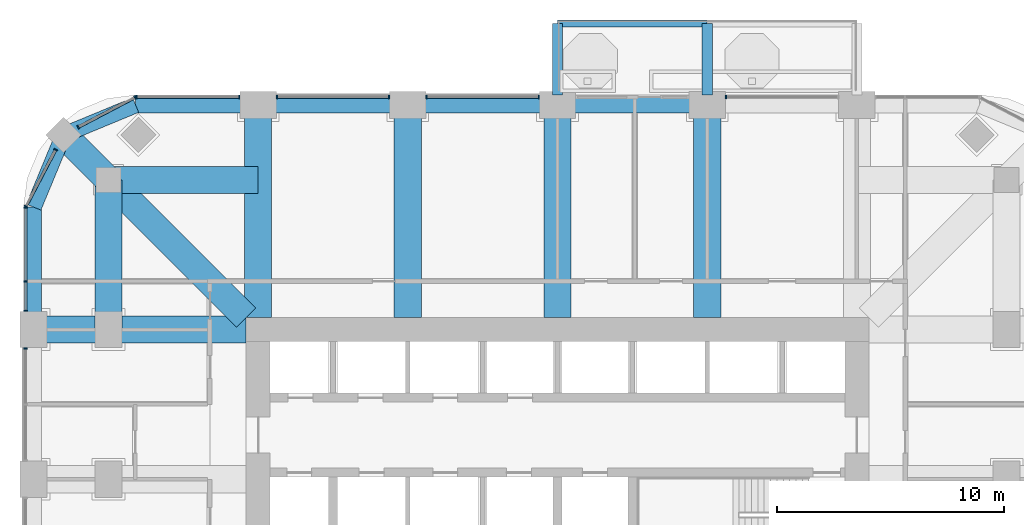
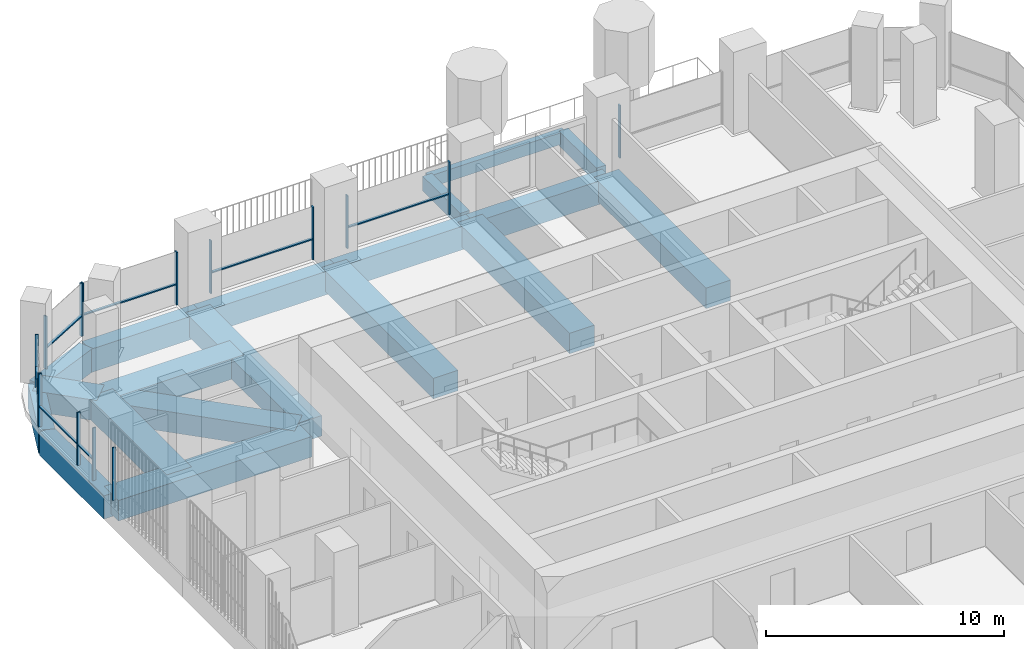
# One storey, part 6 of 20: 22 members, 19 beams, 8 elements without a shape of their own.
"""IFC4 building model written with IfcOpenShell, lengths in metres."""

from ifc_helpers import new_model, si_unit, direction, frame, origin, origin_2d, place, context, subcontext, project, spatial, rectangle, extrude, material, material_profile, profile_set, type_object, element, aggregate, save


model = new_model("IFC4")

# Units and contexts
model_context = context("Model", 3, precision=1e-05, world=origin(), true_north=direction((0.0, 1.0)))
body_context = subcontext(model_context, "Body", "Model", "MODEL_VIEW")
ifc_project = project(units=[si_unit("LENGTHUNIT", "METRE"), si_unit("AREAUNIT", "SQUARE_METRE"), si_unit("VOLUMEUNIT", "CUBIC_METRE"), si_unit("PLANEANGLEUNIT", "RADIAN"), si_unit("MASSUNIT", "GRAM", prefix="KILO")], contexts=[model_context])

# Site, building, storey
site_placement = place(None, origin())
site = spatial("IfcSite", under=ifc_project, at=site_placement, CompositionType="ELEMENT")
building_placement = place(site_placement, origin())
building = spatial("IfcBuilding", under=site, at=building_placement, Name="Cobogo Forest Laboratory Tower", CompositionType="ELEMENT")
storey_placement = place(building_placement, frame((0.0, 0.0, 189.300048828125)))
storey = spatial("IfcBuildingStorey", under=building, at=storey_placement, Name="L43", CompositionType="ELEMENT", Elevation=189.300048828125)

# Beams
ifc_material_1 = material(Name="Concrete HA-40 (C40/50)", Category="concrete")
ifc_material_profile_1 = material_profile(ifc_material_1, rectangle(XDim=0.449951171875, YDim=0.75, at=origin_2d()), Name="RC 450x750")
ifc_profile_set_1 = profile_set([ifc_material_profile_1], Name="Concrete HA-40 (C40/50)")
beam_type_1 = type_object("IfcBeamType", Name="Balcony cantilever beam 450x750", PredefinedType="BEAM", material=ifc_profile_set_1)
for number, where, z_axis, x_axis, name in (
    (1, (26.39990234375, 43.35009765625, -0.625), (0.0, 1.0, 0.0), (-1.0, 0.0, 0.0), "CB1 BAL-N1-C1 L43"),
    (2, (33.0, 43.35009765625, -0.625), (0.0, 1.0, 0.0), (-1.0, 0.0, 0.0), "CB1 BAL-N1-C2 L43"),
):
    element("IfcBeam", number, at=place(storey_placement, frame(where, z_axis=z_axis, x_axis=x_axis)), inside=storey, type_object=beam_type_1, Name=name, PredefinedType="BEAM", context=body_context, shape_type="SweptSolid", body=[
        extrude(rectangle(XDim=0.449951171875, YDim=0.75, at=origin_2d()), origin(), (0.0, 0.0, 1.0), 3.14990234375),
    ])
ifc_material_profile_2 = material_profile(ifc_material_1, rectangle(XDim=0.300048828125, YDim=0.60009765625, at=origin_2d()), Name="RC 300x600")
ifc_profile_set_2 = profile_set([ifc_material_profile_2], Name="Concrete HA-40 (C40/50)")
beam_type_2 = type_object("IfcBeamType", Name="Balcony edge beam 300x600", PredefinedType="BEAM", material=ifc_profile_set_2)
beam_1_placement = place(storey_placement, frame((26.39990234375, 46.5, -0.550048828125), z_axis=(1.0, 0.0, 0.0), x_axis=(0.0, 1.0, 0.0)))
element("IfcBeam", 3, at=beam_1_placement, inside=storey, type_object=beam_type_2, Name="BB1 BAL-N1-T1 L43", PredefinedType="BEAM", context=body_context, shape_type="SweptSolid", body=[
    extrude(rectangle(XDim=0.300048828125, YDim=0.60009765625, at=origin_2d()), origin(), (0.0, 0.0, 1.0), 6.60009765625),
])
ifc_material_profile_3 = material_profile(ifc_material_1, rectangle(XDim=1.199951171875, YDim=1.050048828125, at=origin_2d()), Name="RC 1200x1050")
ifc_profile_set_3 = profile_set([ifc_material_profile_3], Name="Concrete HA-40 (C40/50)")
beam_type_3 = type_object("IfcBeamType", Name="Laboratory floor wide beam 1200x1050", PredefinedType="BEAM", material=ifc_profile_set_3)
for number, where, z_axis, x_axis, name in (
    (4, (13.199951171875, 33.52490234375, -0.824951171875), (0.0, 1.0, 0.0), (-1.0, 0.0, 0.0), "RB1 R-3-N L43"),
    (5, (19.800048828125, 33.52490234375, -0.824951171875), (0.0, 1.0, 0.0), (-1.0, 0.0, 0.0), "RB1 R-4-N L43"),
    (6, (26.39990234375, 33.52490234375, -0.824951171875), (0.0, 1.0, 0.0), (-1.0, 0.0, 0.0), "RB1 R-5-N L43"),
    (7, (33.0, 33.52490234375, -0.824951171875), (0.0, 1.0, 0.0), (-1.0, 0.0, 0.0), "RB1 R-6-N L43"),
    (8, (12.675048828125, 33.0, -0.824951171875), (-1.0, 0.0, 0.0), (0.0, -1.0, 0.0), "RB1 R-F-W L43"),
):
    element("IfcBeam", number, at=place(storey_placement, frame(where, z_axis=z_axis, x_axis=x_axis)), inside=storey, type_object=beam_type_3, Name=name, PredefinedType="BEAM", context=body_context, shape_type="SweptSolid", body=[
        extrude(rectangle(XDim=1.199951171875, YDim=1.050048828125, at=origin_2d()), origin(), (0.0, 0.0, 1.0), 9.375),
    ])
beam_2_placement = place(storey_placement, frame((6.60009765625, 39.60009765625, -0.824951171875), z_axis=(0.0, -1.0, 0.0), x_axis=(1.0, 0.0, 0.0)))
element("IfcBeam", 9, at=beam_2_placement, inside=storey, type_object=beam_type_3, Name="RB1 G-NW-XC L43", PredefinedType="BEAM", context=body_context, shape_type="SweptSolid", body=[
    extrude(rectangle(XDim=1.199951171875, YDim=1.050048828125, at=origin_2d()), origin(), (0.0, 0.0, 1.0), 6.60009765625),
])
beam_3_placement = place(storey_placement, frame((6.60009765625, 39.60009765625, -0.824951171875), z_axis=(1.0, 0.0, 0.0), x_axis=(0.0, 1.0, 0.0)))
element("IfcBeam", 10, at=beam_3_placement, inside=storey, type_object=beam_type_3, Name="RB1 G-NW-YC L43", PredefinedType="BEAM", context=body_context, shape_type="SweptSolid", body=[
    extrude(rectangle(XDim=1.199951171875, YDim=1.050048828125, at=origin_2d()), origin(), (0.0, 0.0, 1.0), 6.599853515625),
])
beam_4_placement = place(storey_placement, frame((4.617919921875, 41.58203125, -0.824951171875), z_axis=(0.707150328948, -0.707063230743, 0.0), x_axis=(0.707063230743, 0.707150328948, 0.0)))
element("IfcBeam", 11, at=beam_4_placement, inside=storey, type_object=beam_type_3, Name="RB1 G-NW-D1 L43", PredefinedType="BEAM", context=body_context, shape_type="SweptSolid", body=[
    extrude(rectangle(XDim=1.199951171875, YDim=1.050048828125, at=origin_2d()), origin(), (0.0, 0.0, 1.0), 2.802978515625),
])
beam_5_placement = place(storey_placement, frame((6.60009765625, 39.60009765625, -0.824951171875), z_axis=(0.707092572697, -0.70712098939, 0.0), x_axis=(0.70712098939, 0.707092572697, 0.0)))
element("IfcBeam", 12, at=beam_5_placement, inside=storey, type_object=beam_type_3, Name="RB1 G-NW-D2 L43", PredefinedType="BEAM", context=body_context, shape_type="SweptSolid", body=[
    extrude(rectangle(XDim=1.199951171875, YDim=1.050048828125, at=origin_2d()), origin(), (0.0, 0.0, 1.0), 8.591552734375),
])

# Curtain wall, member
ifc_material_2 = material(Name="Aluminium curtain wall", Category="aluminium")
curtain_wall_type = type_object("IfcCurtainWallType", Name="CW-2 unitised curtain wall, solar control glazing, laboratory floors zones C and D", PredefinedType="USERDEFINED", material=ifc_material_2)
curtain_wall_1_placement = place(storey_placement, origin())
curtain_wall_1 = element("IfcCurtainWall", 13, at=curtain_wall_1_placement, inside=storey, type_object=curtain_wall_type, Name="Curtain wall 17 L43", ObjectType="UNITISED CURTAIN WALL", PredefinedType="USERDEFINED")
ifc_material_3 = material(Name="Aluminium mullion", Category="aluminium")
ifc_material_profile_4 = material_profile(ifc_material_3, rectangle(XDim=0.06005859375, YDim=0.159912109375, at=origin_2d()), Name="AL 60x160")
ifc_profile_set_4 = profile_set([ifc_material_profile_4], Name="Aluminium mullion")
member_type_1 = type_object("IfcMemberType", Name="MU-1 aluminium mullion 60x160", PredefinedType="MULLION", material=ifc_profile_set_4)
member_1_placement = place(storey_placement, frame((33.830078125, 43.25, 0.0), z_axis=(0.0, 0.0, 1.0), x_axis=(-1.0, 0.0, 0.0)))
member_1 = element("IfcMember", 14, at=member_1_placement, type_object=member_type_1, Name="CW-2 mullion 2", PredefinedType="MULLION", context=body_context, shape_type="SweptSolid", body=[
    extrude(rectangle(XDim=0.06005859375, YDim=0.159912109375, at=origin_2d()), origin(), (0.0, 0.0, 1.0), 2.699951171875),
])
aggregate(curtain_wall_1, [member_1])

# Curtain wall, members
curtain_wall_2_placement = place(storey_placement, origin())
curtain_wall_2 = element("IfcCurtainWall", 15, at=curtain_wall_2_placement, inside=storey, type_object=curtain_wall_type, Name="Curtain wall 19 L43", ObjectType="UNITISED CURTAIN WALL", PredefinedType="USERDEFINED")
member_2_placement = place(storey_placement, frame((25.570068359375, 43.25, 0.0), z_axis=(0.0, 0.0, 1.0), x_axis=(-1.0, 0.0, 0.0)))
member_2 = element("IfcMember", 16, at=member_2_placement, type_object=member_type_1, Name="CW-2 mullion 1", PredefinedType="MULLION", context=body_context, shape_type="SweptSolid", body=[
    extrude(rectangle(XDim=0.06005859375, YDim=0.159912109375, at=origin_2d()), origin(), (0.0, 0.0, 1.0), 2.699951171875),
])
member_3_placement = place(storey_placement, frame((20.6298828125, 43.25, 0.0), z_axis=(0.0, 0.0, 1.0), x_axis=(-1.0, 0.0, 0.0)))
member_3 = element("IfcMember", 17, at=member_3_placement, type_object=member_type_1, Name="CW-2 mullion 2", PredefinedType="MULLION", context=body_context, shape_type="SweptSolid", body=[
    extrude(rectangle(XDim=0.06005859375, YDim=0.159912109375, at=origin_2d()), origin(), (0.0, 0.0, 1.0), 2.699951171875),
])

curtain_wall_3_placement = place(storey_placement, origin())
curtain_wall_3 = element("IfcCurtainWall", 18, at=curtain_wall_3_placement, inside=storey, type_object=curtain_wall_type, Name="Curtain wall 20 L43", ObjectType="UNITISED CURTAIN WALL", PredefinedType="USERDEFINED")
member_4_placement = place(storey_placement, frame((18.969970703125, 43.25, 0.0), z_axis=(0.0, 0.0, 1.0), x_axis=(-1.0, 0.0, 0.0)))
member_4 = element("IfcMember", 19, at=member_4_placement, type_object=member_type_1, Name="CW-2 mullion 1", PredefinedType="MULLION", context=body_context, shape_type="SweptSolid", body=[
    extrude(rectangle(XDim=0.06005859375, YDim=0.159912109375, at=origin_2d()), origin(), (0.0, 0.0, 1.0), 2.699951171875),
])
member_5_placement = place(storey_placement, frame((14.030029296875, 43.25, 0.0), z_axis=(0.0, 0.0, 1.0), x_axis=(-1.0, 0.0, 0.0)))
member_5 = element("IfcMember", 20, at=member_5_placement, type_object=member_type_1, Name="CW-2 mullion 2", PredefinedType="MULLION", context=body_context, shape_type="SweptSolid", body=[
    extrude(rectangle(XDim=0.06005859375, YDim=0.159912109375, at=origin_2d()), origin(), (0.0, 0.0, 1.0), 2.699951171875),
])

curtain_wall_4_placement = place(storey_placement, origin())
curtain_wall_4 = element("IfcCurtainWall", 21, at=curtain_wall_4_placement, inside=storey, type_object=curtain_wall_type, Name="Curtain wall 21 L43", ObjectType="UNITISED CURTAIN WALL", PredefinedType="USERDEFINED")
member_6_placement = place(storey_placement, frame((12.3701171875, 43.25, 0.0), z_axis=(0.0, 0.0, 1.0), x_axis=(-1.0, 0.0, 0.0)))
member_6 = element("IfcMember", 22, at=member_6_placement, type_object=member_type_1, Name="CW-2 mullion 1", PredefinedType="MULLION", context=body_context, shape_type="SweptSolid", body=[
    extrude(rectangle(XDim=0.06005859375, YDim=0.159912109375, at=origin_2d()), origin(), (0.0, 0.0, 1.0), 2.699951171875),
])
member_7_placement = place(storey_placement, frame((7.830078125, 43.25, 0.0), z_axis=(0.0, 0.0, 1.0), x_axis=(-1.0, 0.0, 0.0)))
member_7 = element("IfcMember", 23, at=member_7_placement, type_object=member_type_1, Name="CW-2 mullion 2", PredefinedType="MULLION", context=body_context, shape_type="SweptSolid", body=[
    extrude(rectangle(XDim=0.06005859375, YDim=0.159912109375, at=origin_2d()), origin(), (0.0, 0.0, 1.0), 2.699951171875),
])

curtain_wall_5_placement = place(storey_placement, origin())
curtain_wall_5 = element("IfcCurtainWall", 24, at=curtain_wall_5_placement, inside=storey, type_object=curtain_wall_type, Name="Curtain wall 22 L43", ObjectType="UNITISED CURTAIN WALL", PredefinedType="USERDEFINED")
member_8_placement = place(storey_placement, frame((7.7734375, 43.236083984375, 0.0), z_axis=(0.0, 0.0, 1.0), x_axis=(-0.885686484356, -0.464283804832, 0.0)))
member_8 = element("IfcMember", 25, at=member_8_placement, type_object=member_type_1, Name="CW-2 mullion 1", PredefinedType="MULLION", context=body_context, shape_type="SweptSolid", body=[
    extrude(rectangle(XDim=0.06005859375, YDim=0.159912109375, at=origin_2d()), origin(), (0.0, 0.0, 1.0), 2.699951171875),
])
member_9_placement = place(storey_placement, frame((5.275634765625, 41.9267578125, 0.0), z_axis=(0.0, 0.0, 1.0), x_axis=(-0.885686484356, -0.464283804832, 0.0)))
member_9 = element("IfcMember", 26, at=member_9_placement, type_object=member_type_1, Name="CW-2 mullion 2", PredefinedType="MULLION", context=body_context, shape_type="SweptSolid", body=[
    extrude(rectangle(XDim=0.06005859375, YDim=0.159912109375, at=origin_2d()), origin(), (0.0, 0.0, 1.0), 2.699951171875),
])

curtain_wall_6_placement = place(storey_placement, origin())
curtain_wall_6 = element("IfcCurtainWall", 27, at=curtain_wall_6_placement, inside=storey, type_object=curtain_wall_type, Name="Curtain wall 23 L43", ObjectType="UNITISED CURTAIN WALL", PredefinedType="USERDEFINED")
member_10_placement = place(storey_placement, frame((4.2734375, 40.924560546875, 0.0), z_axis=(0.0, 0.0, 1.0), x_axis=(-0.464283804832, -0.885686484356, 0.0)))
member_10 = element("IfcMember", 28, at=member_10_placement, type_object=member_type_1, Name="CW-2 mullion 1", PredefinedType="MULLION", context=body_context, shape_type="SweptSolid", body=[
    extrude(rectangle(XDim=0.06005859375, YDim=0.159912109375, at=origin_2d()), origin(), (0.0, 0.0, 1.0), 2.699951171875),
])
member_11_placement = place(storey_placement, frame((2.9638671875, 38.426513671875, 0.0), z_axis=(0.0, 0.0, 1.0), x_axis=(-0.464283804832, -0.885686484356, 0.0)))
member_11 = element("IfcMember", 29, at=member_11_placement, type_object=member_type_1, Name="CW-2 mullion 2", PredefinedType="MULLION", context=body_context, shape_type="SweptSolid", body=[
    extrude(rectangle(XDim=0.06005859375, YDim=0.159912109375, at=origin_2d()), origin(), (0.0, 0.0, 1.0), 2.699951171875),
])

curtain_wall_7_placement = place(storey_placement, origin())
curtain_wall_7 = element("IfcCurtainWall", 30, at=curtain_wall_7_placement, inside=storey, type_object=curtain_wall_type, Name="Curtain wall 24 L43", ObjectType="UNITISED CURTAIN WALL", PredefinedType="USERDEFINED")
member_12_placement = place(storey_placement, frame((2.949951171875, 38.3701171875, 0.0), z_axis=(0.0, 0.0, 1.0), x_axis=(0.0, -1.0, 0.0)))
member_12 = element("IfcMember", 31, at=member_12_placement, type_object=member_type_1, Name="CW-2 mullion 1", PredefinedType="MULLION", context=body_context, shape_type="SweptSolid", body=[
    extrude(rectangle(XDim=0.06005859375, YDim=0.159912109375, at=origin_2d()), origin(), (0.0, 0.0, 1.0), 2.699951171875),
])
member_13_placement = place(storey_placement, frame((2.949951171875, 35.125, 0.0), z_axis=(0.0, 0.0, 1.0), x_axis=(0.0, -1.0, 0.0)))
member_13 = element("IfcMember", 32, at=member_13_placement, type_object=member_type_1, Name="CW-2 mullion 2", PredefinedType="MULLION", context=body_context, shape_type="SweptSolid", body=[
    extrude(rectangle(XDim=0.06005859375, YDim=0.159912109375, at=origin_2d()), origin(), (0.0, 0.0, 1.0), 2.699951171875),
])
member_14_placement = place(storey_placement, frame((2.949951171875, 33.830078125, 0.0), z_axis=(0.0, 0.0, 1.0), x_axis=(0.0, -1.0, 0.0)))
member_14 = element("IfcMember", 33, at=member_14_placement, type_object=member_type_1, Name="CW-2 mullion 3", PredefinedType="MULLION", context=body_context, shape_type="SweptSolid", body=[
    extrude(rectangle(XDim=0.06005859375, YDim=0.159912109375, at=origin_2d()), origin(), (0.0, 0.0, 1.0), 2.699951171875),
])

# Curtain wall, member
curtain_wall_8_placement = place(storey_placement, origin())
curtain_wall_8 = element("IfcCurtainWall", 34, at=curtain_wall_8_placement, inside=storey, type_object=curtain_wall_type, Name="Curtain wall 25 L43", ObjectType="UNITISED CURTAIN WALL", PredefinedType="USERDEFINED")
member_15_placement = place(storey_placement, frame((2.949951171875, 32.169921875, 0.0), z_axis=(0.0, 0.0, 1.0), x_axis=(0.0, -1.0, 0.0)))
member_15 = element("IfcMember", 35, at=member_15_placement, type_object=member_type_1, Name="CW-2 mullion 1", PredefinedType="MULLION", context=body_context, shape_type="SweptSolid", body=[
    extrude(rectangle(XDim=0.06005859375, YDim=0.159912109375, at=origin_2d()), origin(), (0.0, 0.0, 1.0), 2.699951171875),
])
aggregate(curtain_wall_8, [member_15])

# Beams
ifc_material_profile_5 = material_profile(ifc_material_1, rectangle(XDim=0.699951171875, YDim=1.199951171875, at=origin_2d()), Name="RC 700x1200")
ifc_profile_set_5 = profile_set([ifc_material_profile_5], Name="Concrete HA-40 (C40/50)")
beam_type_4 = type_object("IfcBeamType", Name="Perimeter edge beam 700x1200", PredefinedType="BEAM", material=ifc_profile_set_5)
beam_6_placement = place(storey_placement, frame((13.199951171875, 42.89990234375, -0.900146484375), z_axis=(1.0, 0.0, 0.0), x_axis=(0.0, 1.0, 0.0)))
element("IfcBeam", 36, at=beam_6_placement, inside=storey, type_object=beam_type_4, Name="EB1 E-N1 L43", PredefinedType="BEAM", context=body_context, shape_type="SweptSolid", body=[
    extrude(rectangle(XDim=0.699951171875, YDim=1.199951171875, at=origin_2d()), origin(), (0.0, 0.0, 1.0), 6.60009765625),
])
beam_7_placement = place(storey_placement, frame((19.800048828125, 42.89990234375, -0.900146484375), z_axis=(1.0, 0.0, 0.0), x_axis=(0.0, 1.0, 0.0)))
element("IfcBeam", 37, at=beam_7_placement, inside=storey, type_object=beam_type_4, Name="EB1 E-N2 L43", PredefinedType="BEAM", context=body_context, shape_type="SweptSolid", body=[
    extrude(rectangle(XDim=0.699951171875, YDim=1.199951171875, at=origin_2d()), origin(), (0.0, 0.0, 1.0), 6.599853515625),
])
beam_8_placement = place(storey_placement, frame((26.39990234375, 42.89990234375, -0.900146484375), z_axis=(1.0, 0.0, 0.0), x_axis=(0.0, 1.0, 0.0)))
element("IfcBeam", 38, at=beam_8_placement, inside=storey, type_object=beam_type_4, Name="EB1 E-N3 L43", PredefinedType="BEAM", context=body_context, shape_type="SweptSolid", body=[
    extrude(rectangle(XDim=0.699951171875, YDim=1.199951171875, at=origin_2d()), origin(), (0.0, 0.0, 1.0), 6.60009765625),
])
beam_9_placement = place(storey_placement, frame((13.199951171875, 42.89990234375, -0.900146484375), z_axis=(-1.0, 0.0, 0.0), x_axis=(0.0, -1.0, 0.0)))
element("IfcBeam", 39, at=beam_9_placement, inside=storey, type_object=beam_type_4, Name="EB1 E-NWN1 L43", PredefinedType="BEAM", context=body_context, shape_type="SweptSolid", body=[
    extrude(rectangle(XDim=0.699951171875, YDim=1.199951171875, at=origin_2d()), origin(), (0.0, 0.0, 1.0), 5.39990234375),
])
beam_10_placement = place(storey_placement, frame((7.800048828125, 42.89990234375, -0.900146484375), z_axis=(-0.923901072997, -0.382631424892, 0.0), x_axis=(0.382631424892, -0.923901072997, 0.0)))
element("IfcBeam", 40, at=beam_10_placement, inside=storey, type_object=beam_type_4, Name="EB1 E-NWN2 L43", PredefinedType="BEAM", context=body_context, shape_type="SweptSolid", body=[
    extrude(rectangle(XDim=0.699951171875, YDim=1.199951171875, at=origin_2d()), origin(), (0.0, 0.0, 1.0), 3.4443359375),
])
beam_11_placement = place(storey_placement, frame((3.300048828125, 33.0, -0.900146484375), z_axis=(0.0, 1.0, 0.0), x_axis=(-1.0, 0.0, 0.0)))
element("IfcBeam", 41, at=beam_11_placement, inside=storey, type_object=beam_type_4, Name="EB1 E-NWW1 L43", PredefinedType="BEAM", context=body_context, shape_type="SweptSolid", body=[
    extrude(rectangle(XDim=0.699951171875, YDim=1.199951171875, at=origin_2d()), origin(), (0.0, 0.0, 1.0), 5.39990234375),
])
beam_12_placement = place(storey_placement, frame((3.300048828125, 38.39990234375, -0.900146484375), z_axis=(0.382631424892, 0.923901072997, 0.0), x_axis=(-0.923901072997, 0.382631424892, 0.0)))
element("IfcBeam", 42, at=beam_12_placement, inside=storey, type_object=beam_type_4, Name="EB1 E-NWW2 L43", PredefinedType="BEAM", context=body_context, shape_type="SweptSolid", body=[
    extrude(rectangle(XDim=0.699951171875, YDim=1.199951171875, at=origin_2d()), origin(), (0.0, 0.0, 1.0), 3.4443359375),
])

# Member
ifc_material_4 = material(Name="Aluminium transom", Category="aluminium")
ifc_material_profile_6 = material_profile(ifc_material_4, rectangle(XDim=0.1201171875, YDim=0.06005859375, at=origin_2d()), Name="AL 60x120")
ifc_profile_set_6 = profile_set([ifc_material_profile_6], Name="Aluminium transom")
member_type_2 = type_object("IfcMemberType", Name="TR-1 aluminium transom 60x120", PredefinedType="USERDEFINED", material=ifc_profile_set_6)
member_16_placement = place(storey_placement, frame((25.5400390625, 43.25, 1.050048828125), z_axis=(-1.0, 0.0, 0.0), x_axis=(0.0, -1.0, 0.0)))
member_16 = element("IfcMember", 43, at=member_16_placement, type_object=member_type_2, Name="CW-2 transom 1.1", ObjectType="TRANSOM", PredefinedType="USERDEFINED", context=body_context, shape_type="SweptSolid", body=[
    extrude(rectangle(XDim=0.1201171875, YDim=0.06005859375, at=origin_2d()), origin(), (0.0, 0.0, 1.0), 4.880126953125),
])

aggregate(curtain_wall_2, [member_2, member_3, member_16])

member_17_placement = place(storey_placement, frame((18.93994140625, 43.25, 1.050048828125), z_axis=(-1.0, 0.0, 0.0), x_axis=(0.0, -1.0, 0.0)))
member_17 = element("IfcMember", 44, at=member_17_placement, type_object=member_type_2, Name="CW-2 transom 1.1", ObjectType="TRANSOM", PredefinedType="USERDEFINED", context=body_context, shape_type="SweptSolid", body=[
    extrude(rectangle(XDim=0.1201171875, YDim=0.06005859375, at=origin_2d()), origin(), (0.0, 0.0, 1.0), 4.8798828125),
])

aggregate(curtain_wall_3, [member_4, member_5, member_17])

member_18_placement = place(storey_placement, frame((12.340087890625, 43.25, 1.050048828125), z_axis=(-1.0, 0.0, 0.0), x_axis=(0.0, -1.0, 0.0)))
member_18 = element("IfcMember", 45, at=member_18_placement, type_object=member_type_2, Name="CW-2 transom 1.1", ObjectType="TRANSOM", PredefinedType="USERDEFINED", context=body_context, shape_type="SweptSolid", body=[
    extrude(rectangle(XDim=0.1201171875, YDim=0.06005859375, at=origin_2d()), origin(), (0.0, 0.0, 1.0), 4.47998046875),
])

aggregate(curtain_wall_4, [member_6, member_7, member_18])

member_19_placement = place(storey_placement, frame((7.746826171875, 43.22216796875, 1.050048828125), z_axis=(-0.88570166389, -0.464254846591, 0.0), x_axis=(0.464254846591, -0.88570166389, 0.0)))
member_19 = element("IfcMember", 46, at=member_19_placement, type_object=member_type_2, Name="CW-2 transom 1.1", ObjectType="TRANSOM", PredefinedType="USERDEFINED", context=body_context, shape_type="SweptSolid", body=[
    extrude(rectangle(XDim=0.1201171875, YDim=0.06005859375, at=origin_2d()), origin(), (0.0, 0.0, 1.0), 2.76025390625),
])

aggregate(curtain_wall_5, [member_8, member_9, member_19])

member_20_placement = place(storey_placement, frame((4.259521484375, 40.89794921875, 1.050048828125), z_axis=(-0.464324225592, -0.885665294301, 0.0), x_axis=(0.885665294301, -0.464324225592, 0.0)))
member_20 = element("IfcMember", 47, at=member_20_placement, type_object=member_type_2, Name="CW-2 transom 1.1", ObjectType="TRANSOM", PredefinedType="USERDEFINED", context=body_context, shape_type="SweptSolid", body=[
    extrude(rectangle(XDim=0.1201171875, YDim=0.06005859375, at=origin_2d()), origin(), (0.0, 0.0, 1.0), 2.760498046875),
])

aggregate(curtain_wall_6, [member_10, member_11, member_20])

member_21_placement = place(storey_placement, frame((2.949951171875, 38.340087890625, 1.050048828125), z_axis=(0.0, -1.0, 0.0), x_axis=(1.0, 0.0, 0.0)))
member_21 = element("IfcMember", 48, at=member_21_placement, type_object=member_type_2, Name="CW-2 transom 1.1", ObjectType="TRANSOM", PredefinedType="USERDEFINED", context=body_context, shape_type="SweptSolid", body=[
    extrude(rectangle(XDim=0.1201171875, YDim=0.06005859375, at=origin_2d()), origin(), (0.0, 0.0, 1.0), 3.18505859375),
])

member_22_placement = place(storey_placement, frame((2.949951171875, 35.094970703125, 1.050048828125), z_axis=(0.0, -1.0, 0.0), x_axis=(1.0, 0.0, 0.0)))
member_22 = element("IfcMember", 49, at=member_22_placement, type_object=member_type_2, Name="CW-2 transom 2.1", ObjectType="TRANSOM", PredefinedType="USERDEFINED", context=body_context, shape_type="SweptSolid", body=[
    extrude(rectangle(XDim=0.1201171875, YDim=0.06005859375, at=origin_2d()), origin(), (0.0, 0.0, 1.0), 1.23486328125),
])

aggregate(curtain_wall_7, [member_12, member_13, member_14, member_21, member_22])

save(model, "model.ifc")
